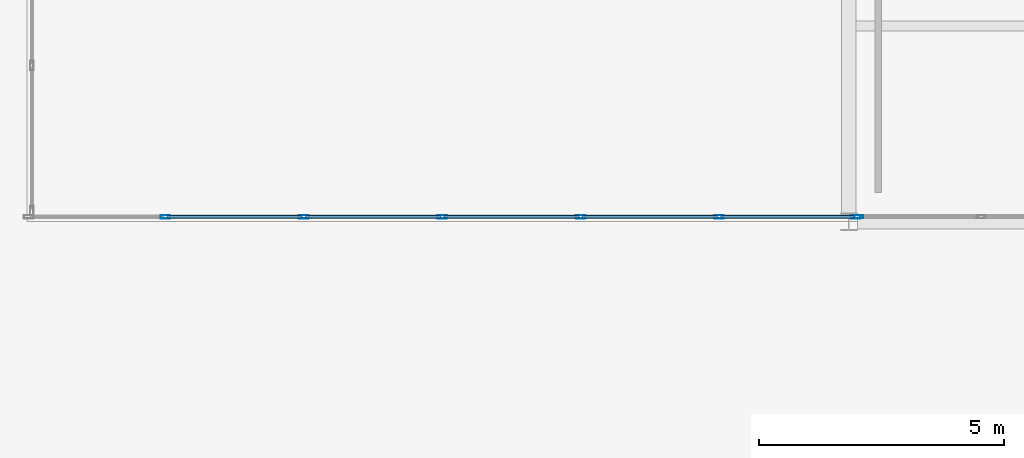
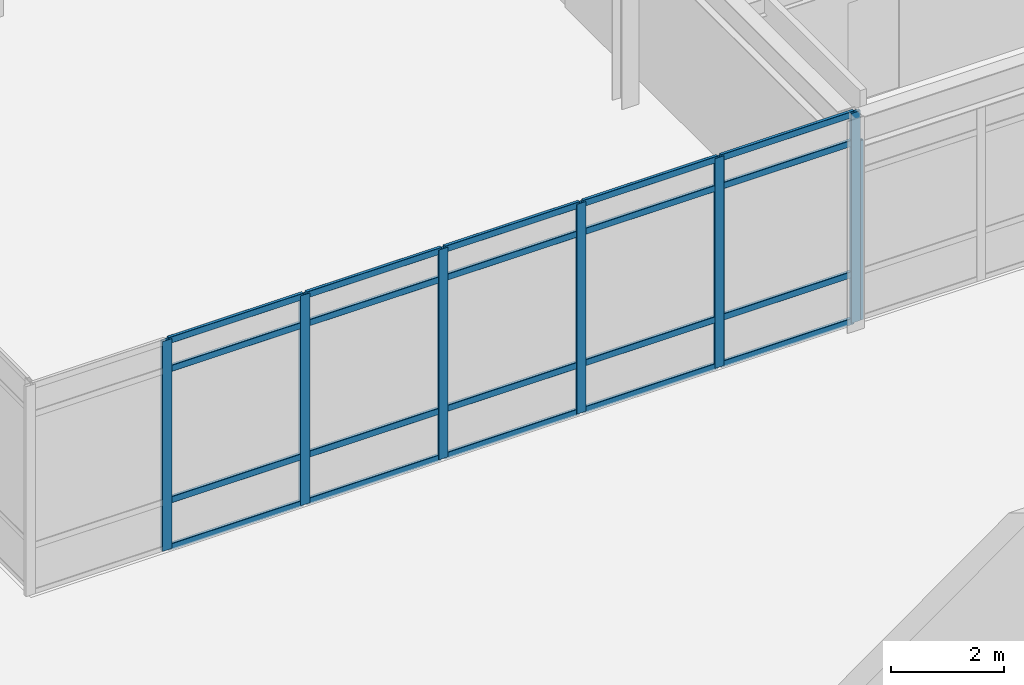
# One storey, part 16 of 154: 27 members, 2 elements without a shape of their own.
"""IFC4 building model written with IfcOpenShell, lengths in metres."""

from ifc_helpers import new_model, si_unit, direction, frame, origin, origin_2d, place, context, subcontext, project, spatial, hollow_rectangle, extrude, material, layer, layer_set, material_profile, profile_set, type_object, element, aggregate, save


model = new_model("IFC4")

# Units and contexts
model_context = context("Model", 3, precision=1e-05, world=origin(), true_north=direction((0.0, 1.0)))
body_context = subcontext(model_context, "Body", "Model", "MODEL_VIEW")
ifc_project = project(units=[si_unit("LENGTHUNIT", "METRE"), si_unit("AREAUNIT", "SQUARE_METRE"), si_unit("VOLUMEUNIT", "CUBIC_METRE"), si_unit("PLANEANGLEUNIT", "RADIAN"), si_unit("MASSUNIT", "GRAM", prefix="KILO")], contexts=[model_context])

# Site, building, storey
site_placement = place(None, origin())
site = spatial("IfcSite", under=ifc_project, at=site_placement, CompositionType="ELEMENT")
building_placement = place(site_placement, origin())
building = spatial("IfcBuilding", under=site, at=building_placement, Name="Kazehara Bluff Congress Hotel", CompositionType="ELEMENT")
storey_placement = place(building_placement, frame((0.0, 0.0, 10.199951171875)))
storey = spatial("IfcBuildingStorey", under=building, at=storey_placement, Name="L02", CompositionType="ELEMENT", Elevation=10.199951171875)

# Curtain wall, member
ifc_material_1 = material(Name="Anodised aluminium", Category="aluminium")
ifc_layer_1 = layer(ifc_material_1, 0.159912109375)
ifc_layer_set_1 = layer_set([ifc_layer_1], Name="Anodised aluminium")
curtain_wall_type_1 = type_object("IfcCurtainWallType", Name="TP-CW-129", PredefinedType="NOTDEFINED", material=ifc_layer_set_1)
curtain_wall_1_placement = place(storey_placement, origin())
curtain_wall_1 = element("IfcCurtainWall", 1, at=curtain_wall_1_placement, inside=storey, type_object=curtain_wall_type_1, Name="L02 curtain wall CW-129 CW-ENC-V2-L02-5438-1610", PredefinedType="NOTDEFINED")
ifc_material_2 = material(Name="Anodised aluminium", Category="aluminium")
ifc_material_profile_1 = material_profile(ifc_material_2, hollow_rectangle(XDim=0.06494140625, YDim=0.179931640625, WallThickness=0.00390625, InnerFilletRadius=0.00390625, OuterFilletRadius=0.008056640625, at=origin_2d()))
ifc_profile_set_1 = profile_set([ifc_material_profile_1], Name="Anodised aluminium")
member_type_1 = type_object("IfcMemberType", Name="TP-CWM-02", PredefinedType="MULLION", material=ifc_profile_set_1)
member_1_placement = place(storey_placement, frame((50.607421875, 16.10009765625, 0.0), z_axis=(0.0, 0.0, 1.0), x_axis=(0.0, -1.0, 0.0)))
member_1 = element("IfcMember", 2, at=member_1_placement, type_object=member_type_1, Name="CW-129 mullion 4", PredefinedType="MULLION", context=body_context, shape_type="SweptSolid", body=[
    extrude(hollow_rectangle(XDim=0.06494140625, YDim=0.179931640625, WallThickness=0.00390625, InnerFilletRadius=0.00390625, OuterFilletRadius=0.008056640625, at=origin_2d()), origin(), (0.0, 0.0, 1.0), 3.885009765625),
])
aggregate(curtain_wall_1, [member_1])

# Curtain wall, members
ifc_material_3 = material(Name="Anodised aluminium", Category="aluminium")
ifc_layer_2 = layer(ifc_material_3, 0.159912109375)
ifc_layer_set_2 = layer_set([ifc_layer_2], Name="Anodised aluminium")
curtain_wall_type_2 = type_object("IfcCurtainWallType", Name="TP-CW-128", PredefinedType="NOTDEFINED", material=ifc_layer_set_2)
curtain_wall_2_placement = place(storey_placement, origin())
curtain_wall_2 = element("IfcCurtainWall", 3, at=curtain_wall_2_placement, inside=storey, type_object=curtain_wall_type_2, Name="L02 curtain wall CW-128 CW-ENC-V2-L02-4209-1610", PredefinedType="NOTDEFINED")
ifc_material_4 = material(Name="Anodised aluminium", Category="aluminium")
ifc_material_profile_2 = material_profile(ifc_material_4, hollow_rectangle(XDim=0.070068359375, YDim=0.199951171875, WallThickness=0.0048828125, InnerFilletRadius=0.0048828125, OuterFilletRadius=0.010009765625, at=origin_2d()))
ifc_profile_set_2 = profile_set([ifc_material_profile_2], Name="Anodised aluminium")
member_type_2 = type_object("IfcMemberType", Name="TP-CWM-03", PredefinedType="MULLION", material=ifc_profile_set_2)
member_2_placement = place(storey_placement, frame((50.5400390625, 16.10009765625, 0.0), z_axis=(0.0, 0.0, 1.0), x_axis=(0.0, -1.0, 0.0)))
member_2 = element("IfcMember", 4, at=member_2_placement, type_object=member_type_2, Name="CW-128 mullion 1", PredefinedType="MULLION", context=body_context, shape_type="SweptSolid", body=[
    extrude(hollow_rectangle(XDim=0.070068359375, YDim=0.199951171875, WallThickness=0.0048828125, InnerFilletRadius=0.0048828125, OuterFilletRadius=0.010009765625, at=origin_2d()), origin(), (0.0, 0.0, 1.0), 4.545166015625),
])
member_3_placement = place(storey_placement, frame((47.745849609375, 16.10009765625, 0.0), z_axis=(0.0, 0.0, 1.0), x_axis=(0.0, -1.0, 0.0)))
member_3 = element("IfcMember", 5, at=member_3_placement, type_object=member_type_2, Name="CW-128 mullion 2", PredefinedType="MULLION", context=body_context, shape_type="SweptSolid", body=[
    extrude(hollow_rectangle(XDim=0.070068359375, YDim=0.199951171875, WallThickness=0.0048828125, InnerFilletRadius=0.0048828125, OuterFilletRadius=0.010009765625, at=origin_2d()), origin(), (0.0, 0.0, 1.0), 4.545166015625),
])
member_4_placement = place(storey_placement, frame((44.916748046875, 16.10009765625, 0.0), z_axis=(0.0, 0.0, 1.0), x_axis=(0.0, -1.0, 0.0)))
member_4 = element("IfcMember", 6, at=member_4_placement, type_object=member_type_2, Name="CW-128 mullion 3", PredefinedType="MULLION", context=body_context, shape_type="SweptSolid", body=[
    extrude(hollow_rectangle(XDim=0.070068359375, YDim=0.199951171875, WallThickness=0.0048828125, InnerFilletRadius=0.0048828125, OuterFilletRadius=0.010009765625, at=origin_2d()), origin(), (0.0, 0.0, 1.0), 4.545166015625),
])
member_5_placement = place(storey_placement, frame((42.08740234375, 16.10009765625, 0.0), z_axis=(0.0, 0.0, 1.0), x_axis=(0.0, -1.0, 0.0)))
member_5 = element("IfcMember", 7, at=member_5_placement, type_object=member_type_2, Name="CW-128 mullion 4", PredefinedType="MULLION", context=body_context, shape_type="SweptSolid", body=[
    extrude(hollow_rectangle(XDim=0.070068359375, YDim=0.199951171875, WallThickness=0.0048828125, InnerFilletRadius=0.0048828125, OuterFilletRadius=0.010009765625, at=origin_2d()), origin(), (0.0, 0.0, 1.0), 4.545166015625),
])
member_6_placement = place(storey_placement, frame((39.25830078125, 16.10009765625, 0.0), z_axis=(0.0, 0.0, 1.0), x_axis=(0.0, -1.0, 0.0)))
member_6 = element("IfcMember", 8, at=member_6_placement, type_object=member_type_2, Name="CW-128 mullion 5", PredefinedType="MULLION", context=body_context, shape_type="SweptSolid", body=[
    extrude(hollow_rectangle(XDim=0.070068359375, YDim=0.199951171875, WallThickness=0.0048828125, InnerFilletRadius=0.0048828125, OuterFilletRadius=0.010009765625, at=origin_2d()), origin(), (0.0, 0.0, 1.0), 4.545166015625),
])
member_7_placement = place(storey_placement, frame((36.42919921875, 16.10009765625, 0.0), z_axis=(0.0, 0.0, 1.0), x_axis=(0.0, -1.0, 0.0)))
member_7 = element("IfcMember", 9, at=member_7_placement, type_object=member_type_2, Name="CW-128 mullion 6", PredefinedType="MULLION", context=body_context, shape_type="SweptSolid", body=[
    extrude(hollow_rectangle(XDim=0.070068359375, YDim=0.199951171875, WallThickness=0.0048828125, InnerFilletRadius=0.0048828125, OuterFilletRadius=0.010009765625, at=origin_2d()), origin(), (0.0, 0.0, 1.0), 4.545166015625),
])
ifc_material_5 = material(Name="Anodised aluminium", Category="aluminium")
ifc_material_profile_3 = material_profile(ifc_material_5, hollow_rectangle(XDim=0.06494140625, YDim=0.139892578125, WallThickness=0.00390625, InnerFilletRadius=0.00390625, OuterFilletRadius=0.008056640625, at=origin_2d()))
ifc_profile_set_3 = profile_set([ifc_material_profile_3], Name="Anodised aluminium")
member_type_3 = type_object("IfcMemberType", Name="TP-CWT-02", PredefinedType="USERDEFINED", material=ifc_profile_set_3)
member_8_placement = place(storey_placement, frame((50.5048828125, 16.10009765625, 0.032470703125), z_axis=(-1.0, 0.0, 0.0), x_axis=(0.0, -1.0, 0.0)))
member_8 = element("IfcMember", 10, at=member_8_placement, type_object=member_type_3, Name="CW-128 transom 1.1", ObjectType="TRANSOM", PredefinedType="USERDEFINED", context=body_context, shape_type="SweptSolid", body=[
    extrude(hollow_rectangle(XDim=0.06494140625, YDim=0.139892578125, WallThickness=0.00390625, InnerFilletRadius=0.00390625, OuterFilletRadius=0.008056640625, at=origin_2d()), origin(), (0.0, 0.0, 1.0), 2.72412109375),
])
member_9_placement = place(storey_placement, frame((50.5048828125, 16.10009765625, 1.050048828125), z_axis=(-1.0, 0.0, 0.0), x_axis=(0.0, -1.0, 0.0)))
member_9 = element("IfcMember", 11, at=member_9_placement, type_object=member_type_3, Name="CW-128 transom 1.2", ObjectType="TRANSOM", PredefinedType="USERDEFINED", context=body_context, shape_type="SweptSolid", body=[
    extrude(hollow_rectangle(XDim=0.06494140625, YDim=0.139892578125, WallThickness=0.00390625, InnerFilletRadius=0.00390625, OuterFilletRadius=0.008056640625, at=origin_2d()), origin(), (0.0, 0.0, 1.0), 2.72412109375),
])
member_10_placement = place(storey_placement, frame((50.5048828125, 16.10009765625, 3.89501953125), z_axis=(-1.0, 0.0, 0.0), x_axis=(0.0, -1.0, 0.0)))
member_10 = element("IfcMember", 12, at=member_10_placement, type_object=member_type_3, Name="CW-128 transom 1.3", ObjectType="TRANSOM", PredefinedType="USERDEFINED", context=body_context, shape_type="SweptSolid", body=[
    extrude(hollow_rectangle(XDim=0.06494140625, YDim=0.139892578125, WallThickness=0.00390625, InnerFilletRadius=0.00390625, OuterFilletRadius=0.008056640625, at=origin_2d()), origin(), (0.0, 0.0, 1.0), 2.72412109375),
])
member_11_placement = place(storey_placement, frame((50.5048828125, 16.10009765625, 4.512451171875), z_axis=(-1.0, 0.0, 0.0), x_axis=(0.0, -1.0, 0.0)))
member_11 = element("IfcMember", 13, at=member_11_placement, type_object=member_type_3, Name="CW-128 transom 1.4", ObjectType="TRANSOM", PredefinedType="USERDEFINED", context=body_context, shape_type="SweptSolid", body=[
    extrude(hollow_rectangle(XDim=0.06494140625, YDim=0.139892578125, WallThickness=0.00390625, InnerFilletRadius=0.00390625, OuterFilletRadius=0.008056640625, at=origin_2d()), origin(), (0.0, 0.0, 1.0), 2.72412109375),
])
member_12_placement = place(storey_placement, frame((47.7109375, 16.10009765625, 0.032470703125), z_axis=(-1.0, 0.0, 0.0), x_axis=(0.0, -1.0, 0.0)))
member_12 = element("IfcMember", 14, at=member_12_placement, type_object=member_type_3, Name="CW-128 transom 2.1", ObjectType="TRANSOM", PredefinedType="USERDEFINED", context=body_context, shape_type="SweptSolid", body=[
    extrude(hollow_rectangle(XDim=0.06494140625, YDim=0.139892578125, WallThickness=0.00390625, InnerFilletRadius=0.00390625, OuterFilletRadius=0.008056640625, at=origin_2d()), origin(), (0.0, 0.0, 1.0), 2.75927734375),
])
member_13_placement = place(storey_placement, frame((47.7109375, 16.10009765625, 1.050048828125), z_axis=(-1.0, 0.0, 0.0), x_axis=(0.0, -1.0, 0.0)))
member_13 = element("IfcMember", 15, at=member_13_placement, type_object=member_type_3, Name="CW-128 transom 2.2", ObjectType="TRANSOM", PredefinedType="USERDEFINED", context=body_context, shape_type="SweptSolid", body=[
    extrude(hollow_rectangle(XDim=0.06494140625, YDim=0.139892578125, WallThickness=0.00390625, InnerFilletRadius=0.00390625, OuterFilletRadius=0.008056640625, at=origin_2d()), origin(), (0.0, 0.0, 1.0), 2.75927734375),
])
member_14_placement = place(storey_placement, frame((47.7109375, 16.10009765625, 3.89501953125), z_axis=(-1.0, 0.0, 0.0), x_axis=(0.0, -1.0, 0.0)))
member_14 = element("IfcMember", 16, at=member_14_placement, type_object=member_type_3, Name="CW-128 transom 2.3", ObjectType="TRANSOM", PredefinedType="USERDEFINED", context=body_context, shape_type="SweptSolid", body=[
    extrude(hollow_rectangle(XDim=0.06494140625, YDim=0.139892578125, WallThickness=0.00390625, InnerFilletRadius=0.00390625, OuterFilletRadius=0.008056640625, at=origin_2d()), origin(), (0.0, 0.0, 1.0), 2.75927734375),
])
member_15_placement = place(storey_placement, frame((47.7109375, 16.10009765625, 4.512451171875), z_axis=(-1.0, 0.0, 0.0), x_axis=(0.0, -1.0, 0.0)))
member_15 = element("IfcMember", 17, at=member_15_placement, type_object=member_type_3, Name="CW-128 transom 2.4", ObjectType="TRANSOM", PredefinedType="USERDEFINED", context=body_context, shape_type="SweptSolid", body=[
    extrude(hollow_rectangle(XDim=0.06494140625, YDim=0.139892578125, WallThickness=0.00390625, InnerFilletRadius=0.00390625, OuterFilletRadius=0.008056640625, at=origin_2d()), origin(), (0.0, 0.0, 1.0), 2.75927734375),
])
member_16_placement = place(storey_placement, frame((44.881591796875, 16.10009765625, 0.032470703125), z_axis=(-1.0, 0.0, 0.0), x_axis=(0.0, -1.0, 0.0)))
member_16 = element("IfcMember", 18, at=member_16_placement, type_object=member_type_3, Name="CW-128 transom 3.1", ObjectType="TRANSOM", PredefinedType="USERDEFINED", context=body_context, shape_type="SweptSolid", body=[
    extrude(hollow_rectangle(XDim=0.06494140625, YDim=0.139892578125, WallThickness=0.00390625, InnerFilletRadius=0.00390625, OuterFilletRadius=0.008056640625, at=origin_2d()), origin(), (0.0, 0.0, 1.0), 2.759033203125),
])
member_17_placement = place(storey_placement, frame((44.881591796875, 16.10009765625, 1.050048828125), z_axis=(-1.0, 0.0, 0.0), x_axis=(0.0, -1.0, 0.0)))
member_17 = element("IfcMember", 19, at=member_17_placement, type_object=member_type_3, Name="CW-128 transom 3.2", ObjectType="TRANSOM", PredefinedType="USERDEFINED", context=body_context, shape_type="SweptSolid", body=[
    extrude(hollow_rectangle(XDim=0.06494140625, YDim=0.139892578125, WallThickness=0.00390625, InnerFilletRadius=0.00390625, OuterFilletRadius=0.008056640625, at=origin_2d()), origin(), (0.0, 0.0, 1.0), 2.759033203125),
])
member_18_placement = place(storey_placement, frame((44.881591796875, 16.10009765625, 3.89501953125), z_axis=(-1.0, 0.0, 0.0), x_axis=(0.0, -1.0, 0.0)))
member_18 = element("IfcMember", 20, at=member_18_placement, type_object=member_type_3, Name="CW-128 transom 3.3", ObjectType="TRANSOM", PredefinedType="USERDEFINED", context=body_context, shape_type="SweptSolid", body=[
    extrude(hollow_rectangle(XDim=0.06494140625, YDim=0.139892578125, WallThickness=0.00390625, InnerFilletRadius=0.00390625, OuterFilletRadius=0.008056640625, at=origin_2d()), origin(), (0.0, 0.0, 1.0), 2.759033203125),
])
member_19_placement = place(storey_placement, frame((44.881591796875, 16.10009765625, 4.512451171875), z_axis=(-1.0, 0.0, 0.0), x_axis=(0.0, -1.0, 0.0)))
member_19 = element("IfcMember", 21, at=member_19_placement, type_object=member_type_3, Name="CW-128 transom 3.4", ObjectType="TRANSOM", PredefinedType="USERDEFINED", context=body_context, shape_type="SweptSolid", body=[
    extrude(hollow_rectangle(XDim=0.06494140625, YDim=0.139892578125, WallThickness=0.00390625, InnerFilletRadius=0.00390625, OuterFilletRadius=0.008056640625, at=origin_2d()), origin(), (0.0, 0.0, 1.0), 2.759033203125),
])
member_20_placement = place(storey_placement, frame((42.052490234375, 16.10009765625, 0.032470703125), z_axis=(-1.0, 0.0, 0.0), x_axis=(0.0, -1.0, 0.0)))
member_20 = element("IfcMember", 22, at=member_20_placement, type_object=member_type_3, Name="CW-128 transom 4.1", ObjectType="TRANSOM", PredefinedType="USERDEFINED", context=body_context, shape_type="SweptSolid", body=[
    extrude(hollow_rectangle(XDim=0.06494140625, YDim=0.139892578125, WallThickness=0.00390625, InnerFilletRadius=0.00390625, OuterFilletRadius=0.008056640625, at=origin_2d()), origin(), (0.0, 0.0, 1.0), 2.75927734375),
])
member_21_placement = place(storey_placement, frame((42.052490234375, 16.10009765625, 1.050048828125), z_axis=(-1.0, 0.0, 0.0), x_axis=(0.0, -1.0, 0.0)))
member_21 = element("IfcMember", 23, at=member_21_placement, type_object=member_type_3, Name="CW-128 transom 4.2", ObjectType="TRANSOM", PredefinedType="USERDEFINED", context=body_context, shape_type="SweptSolid", body=[
    extrude(hollow_rectangle(XDim=0.06494140625, YDim=0.139892578125, WallThickness=0.00390625, InnerFilletRadius=0.00390625, OuterFilletRadius=0.008056640625, at=origin_2d()), origin(), (0.0, 0.0, 1.0), 2.75927734375),
])
member_22_placement = place(storey_placement, frame((42.052490234375, 16.10009765625, 3.89501953125), z_axis=(-1.0, 0.0, 0.0), x_axis=(0.0, -1.0, 0.0)))
member_22 = element("IfcMember", 24, at=member_22_placement, type_object=member_type_3, Name="CW-128 transom 4.3", ObjectType="TRANSOM", PredefinedType="USERDEFINED", context=body_context, shape_type="SweptSolid", body=[
    extrude(hollow_rectangle(XDim=0.06494140625, YDim=0.139892578125, WallThickness=0.00390625, InnerFilletRadius=0.00390625, OuterFilletRadius=0.008056640625, at=origin_2d()), origin(), (0.0, 0.0, 1.0), 2.75927734375),
])
member_23_placement = place(storey_placement, frame((42.052490234375, 16.10009765625, 4.512451171875), z_axis=(-1.0, 0.0, 0.0), x_axis=(0.0, -1.0, 0.0)))
member_23 = element("IfcMember", 25, at=member_23_placement, type_object=member_type_3, Name="CW-128 transom 4.4", ObjectType="TRANSOM", PredefinedType="USERDEFINED", context=body_context, shape_type="SweptSolid", body=[
    extrude(hollow_rectangle(XDim=0.06494140625, YDim=0.139892578125, WallThickness=0.00390625, InnerFilletRadius=0.00390625, OuterFilletRadius=0.008056640625, at=origin_2d()), origin(), (0.0, 0.0, 1.0), 2.75927734375),
])
member_24_placement = place(storey_placement, frame((39.223388671875, 16.10009765625, 0.032470703125), z_axis=(-1.0, 0.0, 0.0), x_axis=(0.0, -1.0, 0.0)))
member_24 = element("IfcMember", 26, at=member_24_placement, type_object=member_type_3, Name="CW-128 transom 5.1", ObjectType="TRANSOM", PredefinedType="USERDEFINED", context=body_context, shape_type="SweptSolid", body=[
    extrude(hollow_rectangle(XDim=0.06494140625, YDim=0.139892578125, WallThickness=0.00390625, InnerFilletRadius=0.00390625, OuterFilletRadius=0.008056640625, at=origin_2d()), origin(), (0.0, 0.0, 1.0), 2.75927734375),
])
member_25_placement = place(storey_placement, frame((39.223388671875, 16.10009765625, 1.050048828125), z_axis=(-1.0, 0.0, 0.0), x_axis=(0.0, -1.0, 0.0)))
member_25 = element("IfcMember", 27, at=member_25_placement, type_object=member_type_3, Name="CW-128 transom 5.2", ObjectType="TRANSOM", PredefinedType="USERDEFINED", context=body_context, shape_type="SweptSolid", body=[
    extrude(hollow_rectangle(XDim=0.06494140625, YDim=0.139892578125, WallThickness=0.00390625, InnerFilletRadius=0.00390625, OuterFilletRadius=0.008056640625, at=origin_2d()), origin(), (0.0, 0.0, 1.0), 2.75927734375),
])
member_26_placement = place(storey_placement, frame((39.223388671875, 16.10009765625, 3.89501953125), z_axis=(-1.0, 0.0, 0.0), x_axis=(0.0, -1.0, 0.0)))
member_26 = element("IfcMember", 28, at=member_26_placement, type_object=member_type_3, Name="CW-128 transom 5.3", ObjectType="TRANSOM", PredefinedType="USERDEFINED", context=body_context, shape_type="SweptSolid", body=[
    extrude(hollow_rectangle(XDim=0.06494140625, YDim=0.139892578125, WallThickness=0.00390625, InnerFilletRadius=0.00390625, OuterFilletRadius=0.008056640625, at=origin_2d()), origin(), (0.0, 0.0, 1.0), 2.75927734375),
])
member_27_placement = place(storey_placement, frame((39.223388671875, 16.10009765625, 4.512451171875), z_axis=(-1.0, 0.0, 0.0), x_axis=(0.0, -1.0, 0.0)))
member_27 = element("IfcMember", 29, at=member_27_placement, type_object=member_type_3, Name="CW-128 transom 5.4", ObjectType="TRANSOM", PredefinedType="USERDEFINED", context=body_context, shape_type="SweptSolid", body=[
    extrude(hollow_rectangle(XDim=0.06494140625, YDim=0.139892578125, WallThickness=0.00390625, InnerFilletRadius=0.00390625, OuterFilletRadius=0.008056640625, at=origin_2d()), origin(), (0.0, 0.0, 1.0), 2.75927734375),
])
aggregate(curtain_wall_2, [member_2, member_3, member_4, member_5, member_6, member_7, member_8, member_9, member_10, member_11, member_12, member_13, member_14, member_15, member_16, member_17, member_18, member_19, member_20, member_21, member_22, member_23, member_24, member_25, member_26, member_27])

save(model, "model.ifc")
